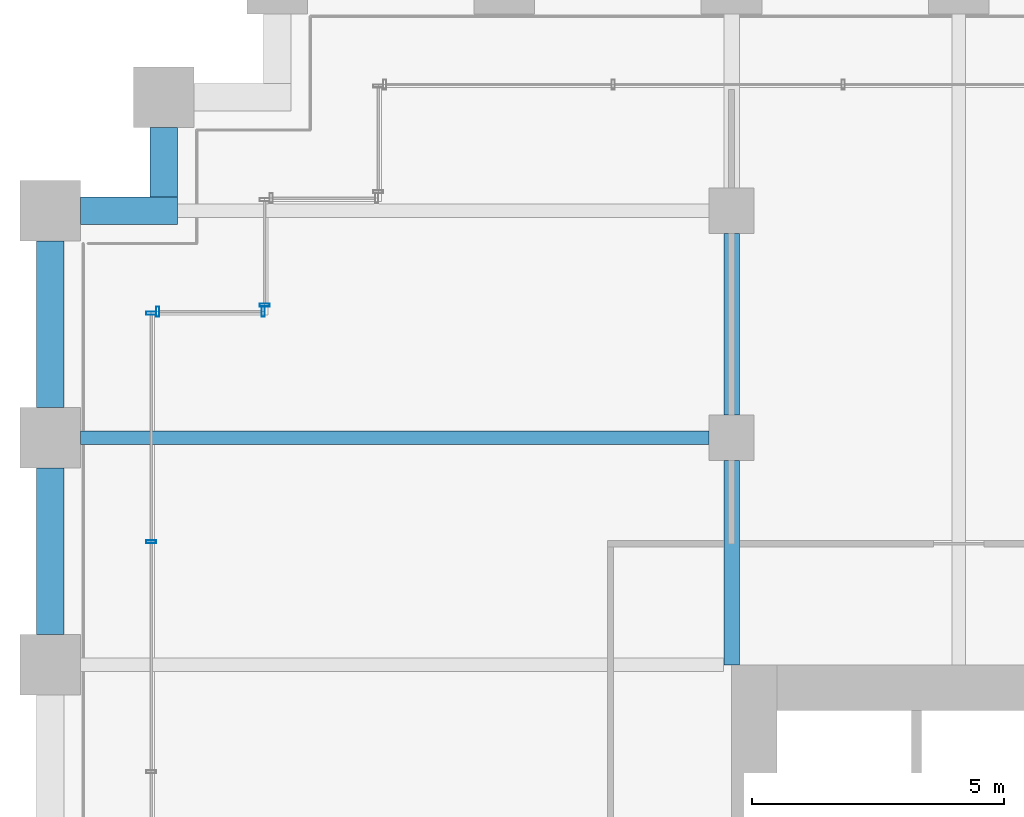
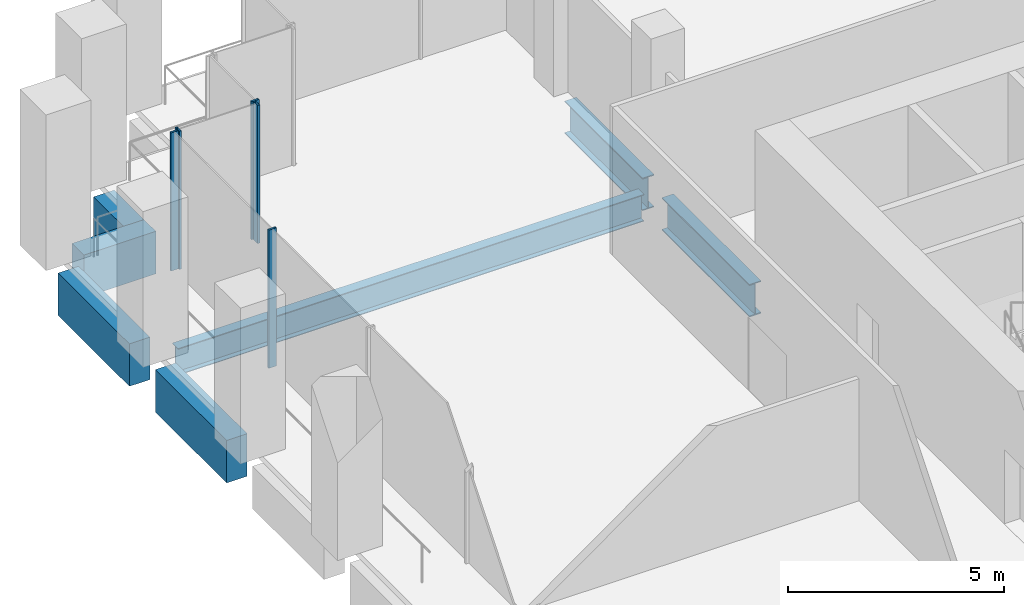
# One storey, part 13 of 36: 7 beams, 5 members, 3 elements without a shape of their own.
"""IFC4 building model written with IfcOpenShell, lengths in metres."""

from ifc_helpers import new_model, si_unit, direction, frame, origin, origin_2d, place, context, subcontext, project, spatial, rectangle, hollow_rectangle, i_section, extrude, material, material_profile, profile_set, type_object, element, aggregate, save


model = new_model("IFC4")

# Units and contexts
model_context = context("Model", 3, precision=1e-05, world=origin(), true_north=direction((0.0, 1.0)))
body_context = subcontext(model_context, "Body", "Model", "MODEL_VIEW")
ifc_project = project(units=[si_unit("LENGTHUNIT", "METRE"), si_unit("AREAUNIT", "SQUARE_METRE"), si_unit("VOLUMEUNIT", "CUBIC_METRE"), si_unit("PLANEANGLEUNIT", "RADIAN"), si_unit("MASSUNIT", "GRAM", prefix="KILO")], contexts=[model_context])

# Site, building, storey
site_placement = place(None, origin())
site = spatial("IfcSite", under=ifc_project, at=site_placement, CompositionType="ELEMENT")
building_placement = place(site_placement, origin())
building = spatial("IfcBuilding", under=site, at=building_placement, Name="Altepetl Exchange Towers", CompositionType="ELEMENT")
storey_placement = place(building_placement, frame((0.0, 0.0, 38.60009765625)))
storey = spatial("IfcBuildingStorey", under=building, at=storey_placement, Name="L08", CompositionType="ELEMENT", Elevation=38.60009765625)

# Beams
ifc_material_1 = material(Name="Steel S355", Category="steel")
ifc_material_profile_1 = material_profile(ifc_material_1, i_section(OverallWidth=0.26611328125, OverallDepth=0.758056640625, WebThickness=0.013916015625, FlangeThickness=0.019287109375, at=origin_2d()), Name="W30X108")
ifc_profile_set_1 = profile_set([ifc_material_profile_1], Name="Steel S355")
beam_type_1 = type_object("IfcBeamType", Name="Floor beam W30X108", PredefinedType="BEAM", material=ifc_profile_set_1)
beam_1_placement = place(storey_placement, frame((27.60009765625, 63.0, -0.55419921875), z_axis=(1.0, 0.0, 0.0), x_axis=(0.0, 1.0, 0.0)))
element("IfcBeam", 1, at=beam_1_placement, inside=storey, type_object=beam_type_1, Name="bm:A:L08:022", PredefinedType="BEAM", context=body_context, shape_type="SweptSolid", body=[
    extrude(i_section(OverallWidth=0.26611328125, OverallDepth=0.758056640625, WebThickness=0.013916015625, FlangeThickness=0.019287109375, at=origin_2d()), origin(), (0.0, 0.0, 1.0), 12.449951171875),
])
ifc_material_profile_2 = material_profile(ifc_material_1, i_section(OverallWidth=0.306884765625, OverallDepth=0.923095703125, WebThickness=0.018310546875, FlangeThickness=0.030029296875, at=origin_2d()), Name="W36X182")
ifc_profile_set_2 = profile_set([ifc_material_profile_2], Name="Steel S355")
beam_type_2 = type_object("IfcBeamType", Name="Girder W36X182", PredefinedType="BEAM", material=ifc_profile_set_2)
beam_2_placement = place(storey_placement, frame((40.5, 67.050048828125, -0.63671875), z_axis=(0.0, -1.0, 0.0), x_axis=(1.0, 0.0, 0.0)))
element("IfcBeam", 2, at=beam_2_placement, inside=storey, type_object=beam_type_2, Name="gd:A:L08:004", PredefinedType="BEAM", context=body_context, shape_type="SweptSolid", body=[
    extrude(i_section(OverallWidth=0.306884765625, OverallDepth=0.923095703125, WebThickness=0.018310546875, FlangeThickness=0.030029296875, at=origin_2d()), origin(), (0.0, 0.0, 1.0), 3.60009765625),
])
beam_3_placement = place(storey_placement, frame((40.5, 62.550048828125, -0.63671875), z_axis=(0.0, -1.0, 0.0), x_axis=(1.0, 0.0, 0.0)))
element("IfcBeam", 3, at=beam_3_placement, inside=storey, type_object=beam_type_2, Name="gd:A:L08:005", PredefinedType="BEAM", context=body_context, shape_type="SweptSolid", body=[
    extrude(i_section(OverallWidth=0.306884765625, OverallDepth=0.923095703125, WebThickness=0.018310546875, FlangeThickness=0.030029296875, at=origin_2d()), origin(), (0.0, 0.0, 1.0), 4.050048828125),
])

# Curtain wall, members
ifc_material_2 = material(Name="Aluminium 6063-T6 glazing", Category="aluminium")
curtain_wall_type = type_object("IfcCurtainWallType", Name="Trading floor glazing system", PredefinedType="NOTDEFINED", material=ifc_material_2)
curtain_wall_1_placement = place(storey_placement, origin())
curtain_wall_1 = element("IfcCurtainWall", 4, at=curtain_wall_1_placement, inside=storey, type_object=curtain_wall_type, Name="CW2 run", PredefinedType="NOTDEFINED")
ifc_material_3 = material(Name="Aluminium 6063-T6", Category="aluminium")
ifc_material_profile_3 = material_profile(ifc_material_3, hollow_rectangle(XDim=0.06005859375, YDim=0.199951171875, WallThickness=0.0029296875, at=origin_2d()), Name="Mullion 60x200 aluminium")
ifc_profile_set_3 = profile_set([ifc_material_profile_3], Name="Aluminium 6063-T6")
member_type = type_object("IfcMemberType", Name="Mullion 60x200 aluminium", PredefinedType="MULLION", material=ifc_profile_set_3)
member_1_placement = place(storey_placement, frame((31.219970703125, 65.5, 0.0), z_axis=(0.0, 0.0, 1.0), x_axis=(-1.0, 0.0, 0.0)))
member_1 = element("IfcMember", 5, at=member_1_placement, type_object=member_type, Name="MU2 mullion", PredefinedType="MULLION", context=body_context, shape_type="SweptSolid", body=[
    extrude(hollow_rectangle(XDim=0.06005859375, YDim=0.199951171875, WallThickness=0.0029296875, at=origin_2d()), origin(), (0.0, 0.0, 1.0), 3.89990234375),
])
member_2_placement = place(storey_placement, frame((29.1298828125, 65.5, 0.0), z_axis=(0.0, 0.0, 1.0), x_axis=(-1.0, 0.0, 0.0)))
member_2 = element("IfcMember", 6, at=member_2_placement, type_object=member_type, Name="MU2 mullion", PredefinedType="MULLION", context=body_context, shape_type="SweptSolid", body=[
    extrude(hollow_rectangle(XDim=0.06005859375, YDim=0.199951171875, WallThickness=0.0029296875, at=origin_2d()), origin(), (0.0, 0.0, 1.0), 3.89990234375),
])
aggregate(curtain_wall_1, [member_1, member_2])

curtain_wall_2_placement = place(storey_placement, origin())
curtain_wall_2 = element("IfcCurtainWall", 7, at=curtain_wall_2_placement, inside=storey, type_object=curtain_wall_type, Name="CW2 run", PredefinedType="NOTDEFINED")
member_3_placement = place(storey_placement, frame((29.0, 65.469970703125, 0.0), z_axis=(0.0, 0.0, 1.0), x_axis=(0.0, -1.0, 0.0)))
member_3 = element("IfcMember", 8, at=member_3_placement, type_object=member_type, Name="MU2 mullion", PredefinedType="MULLION", context=body_context, shape_type="SweptSolid", body=[
    extrude(hollow_rectangle(XDim=0.06005859375, YDim=0.199951171875, WallThickness=0.0029296875, at=origin_2d()), origin(), (0.0, 0.0, 1.0), 3.89990234375),
])
member_4_placement = place(storey_placement, frame((29.0, 60.94287109375, 0.0), z_axis=(0.0, 0.0, 1.0), x_axis=(0.0, -1.0, 0.0)))
member_4 = element("IfcMember", 9, at=member_4_placement, type_object=member_type, Name="MU2 mullion", PredefinedType="MULLION", context=body_context, shape_type="SweptSolid", body=[
    extrude(hollow_rectangle(XDim=0.06005859375, YDim=0.199951171875, WallThickness=0.0029296875, at=origin_2d()), origin(), (0.0, 0.0, 1.0), 3.89990234375),
])
aggregate(curtain_wall_2, [member_3, member_4])

# Curtain wall, member
curtain_wall_3_placement = place(storey_placement, origin())
curtain_wall_3 = element("IfcCurtainWall", 10, at=curtain_wall_3_placement, inside=storey, type_object=curtain_wall_type, Name="CW2 run", PredefinedType="NOTDEFINED")
member_5_placement = place(storey_placement, frame((31.25, 65.6298828125, 0.0), z_axis=(0.0, 0.0, 1.0), x_axis=(0.0, -1.0, 0.0)))
member_5 = element("IfcMember", 11, at=member_5_placement, type_object=member_type, Name="MU2 mullion", PredefinedType="MULLION", context=body_context, shape_type="SweptSolid", body=[
    extrude(hollow_rectangle(XDim=0.06005859375, YDim=0.199951171875, WallThickness=0.0029296875, at=origin_2d()), origin(), (0.0, 0.0, 1.0), 3.89990234375),
])
aggregate(curtain_wall_3, [member_5])

# Beams
ifc_material_4 = material(Name="Concrete C50/60 precast with tezontle facing", Category="concrete")
ifc_material_profile_4 = material_profile(ifc_material_4, rectangle(XDim=0.550048828125, YDim=1.199951171875, at=origin_2d()), Name="550 x 1200")
ifc_profile_set_4 = profile_set([ifc_material_profile_4], Name="Concrete C50/60 precast with tezontle facing")
beam_type_3 = type_object("IfcBeamType", Name="Spandrel beam 550x1200 tezontle", PredefinedType="SPANDREL", material=ifc_profile_set_4)
beam_4_placement = place(storey_placement, frame((29.25, 69.14990234375, -0.775146484375), z_axis=(0.0, -1.0, 0.0), x_axis=(1.0, 0.0, 0.0)))
element("IfcBeam", 12, at=beam_4_placement, inside=storey, type_object=beam_type_3, Name="sp:A:L08:034", PredefinedType="SPANDREL", context=body_context, shape_type="SweptSolid", body=[
    extrude(rectangle(XDim=0.550048828125, YDim=1.199951171875, at=origin_2d()), origin(), (0.0, 0.0, 1.0), 1.375),
])
beam_5_placement = place(storey_placement, frame((29.52490234375, 67.5, -0.775146484375), z_axis=(-1.0, 0.0, 0.0), x_axis=(0.0, -1.0, 0.0)))
element("IfcBeam", 13, at=beam_5_placement, inside=storey, type_object=beam_type_3, Name="sp:A:L08:035", PredefinedType="SPANDREL", context=body_context, shape_type="SweptSolid", body=[
    extrude(rectangle(XDim=0.550048828125, YDim=1.199951171875, at=origin_2d()), origin(), (0.0, 0.0, 1.0), 1.9248046875),
])
for number, where, z_axis, x_axis, name in (
    (14, (27.0, 66.89990234375, -0.775146484375), (0.0, -1.0, 0.0), (1.0, 0.0, 0.0), "sp:A:L08:036"),
    (15, (27.0, 62.39990234375, -0.775146484375), (0.0, -1.0, 0.0), (1.0, 0.0, 0.0), "sp:A:L08:037"),
):
    element("IfcBeam", number, at=place(storey_placement, frame(where, z_axis=z_axis, x_axis=x_axis)), inside=storey, type_object=beam_type_3, Name=name, PredefinedType="SPANDREL", context=body_context, shape_type="SweptSolid", body=[
        extrude(rectangle(XDim=0.550048828125, YDim=1.199951171875, at=origin_2d()), origin(), (0.0, 0.0, 1.0), 3.2998046875),
    ])

save(model, "model.ifc")
